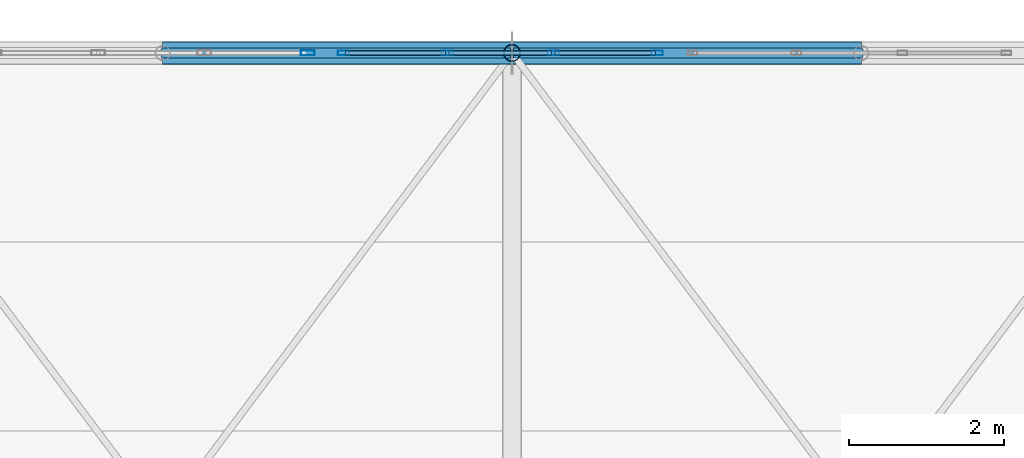
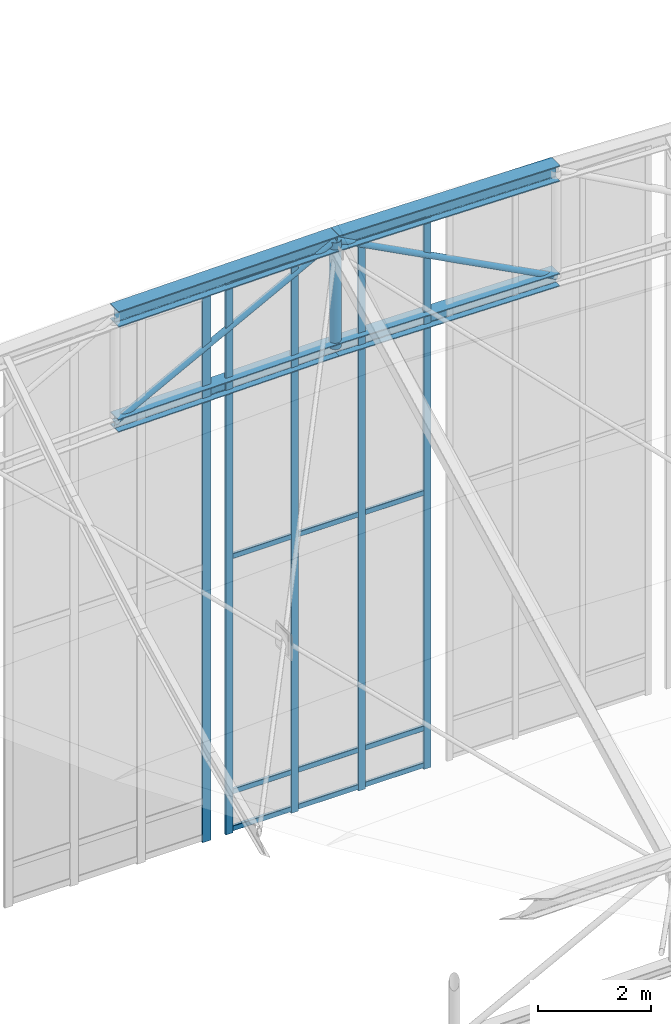
# One storey, part 193 of 262: 24 members, 2 elements without a shape of their own.
"""IFC4 building model written with IfcOpenShell, lengths in metres."""

from ifc_helpers import new_model, si_unit, derived_unit, direction, frame, origin, origin_2d, place, context, subcontext, project, spatial, hollow_rectangle, hollow_circle, i_section, extrude, material, layer, layer_set, material_profile, profile_set, type_object, element, aggregate, save


model = new_model("IFC4")

# Units and contexts
model_context = context("Model", 3, precision=1e-05, world=origin(), true_north=direction((0.0, 1.0)))
body_context = subcontext(model_context, "Body", "Model", "MODEL_VIEW")
ifc_project = project(units=[si_unit("LENGTHUNIT", "METRE"), si_unit("AREAUNIT", "SQUARE_METRE"), si_unit("VOLUMEUNIT", "CUBIC_METRE"), si_unit("PLANEANGLEUNIT", "RADIAN"), si_unit("MASSUNIT", "GRAM", prefix="KILO"), derived_unit("THERMALTRANSMITTANCEUNIT", [(si_unit("POWERUNIT", "WATT"), 1), (si_unit("LENGTHUNIT", "METRE"), -2), (si_unit("THERMODYNAMICTEMPERATUREUNIT", "KELVIN"), -1)])], contexts=[model_context])

# Site, building, storey
site_placement = place(None, origin())
site = spatial("IfcSite", under=ifc_project, at=site_placement, CompositionType="ELEMENT")
building_placement = place(site_placement, origin())
building = spatial("IfcBuilding", under=site, at=building_placement, Name="Almenara Railside Exhibition Hall", CompositionType="ELEMENT")
storey_placement = place(building_placement, frame((0.0, 0.0, 21.699951171875)))
storey = spatial("IfcBuildingStorey", under=building, at=storey_placement, Name="RF", CompositionType="ELEMENT", Elevation=21.699951171875)

# Members
ifc_material_1 = material(Name="Structural steel S355JR", Category="steel")
ifc_material_profile_1 = material_profile(ifc_material_1, i_section(OverallWidth=0.280029296875, OverallDepth=0.280029296875, WebThickness=0.010498046875, FlangeThickness=0.01806640625, FilletRadius=0.02392578125, at=origin_2d()), Name="HEB 280")
ifc_profile_set_1 = profile_set([ifc_material_profile_1], Name="Structural steel S355JR")
member_type_1 = type_object("IfcMemberType", Name="Arched Gable Bottom Chord HEB 280 S355JR", PredefinedType="CHORD", material=ifc_profile_set_1)
for number, where, z_axis, x_axis, name in (
    (1, (34.5, 132.0, 8.739013671875), (0.999908030213, 0.0, 0.013562120635), (0.0, 1.0, 0.0), "MEM-BC-V1-07-05"),
    (2, (39.0, 132.0, 8.800048828125), (0.999908030213, 0.0, -0.013562120635), (0.0, 1.0, 0.0), "MEM-BC-V1-07-06"),
):
    element("IfcMember", number, at=place(storey_placement, frame(where, z_axis=z_axis, x_axis=x_axis)), inside=storey, type_object=member_type_1, Name=name, PredefinedType="CHORD", context=body_context, shape_type="SweptSolid", body=[
        extrude(i_section(OverallWidth=0.280029296875, OverallDepth=0.280029296875, WebThickness=0.010498046875, FlangeThickness=0.01806640625, FilletRadius=0.02392578125, at=origin_2d()), origin(), (0.0, 0.0, 1.0), 4.50048828125),
    ])
ifc_material_profile_2 = material_profile(ifc_material_1, i_section(OverallWidth=0.300048828125, OverallDepth=0.340087890625, WebThickness=0.011962890625, FlangeThickness=0.021484375, FilletRadius=0.027099609375, at=origin_2d()), Name="HEB 340")
ifc_profile_set_2 = profile_set([ifc_material_profile_2], Name="Structural steel S355JR")
member_type_2 = type_object("IfcMemberType", Name="Arched Gable Top Chord HEB 340 S355JR", PredefinedType="CHORD", material=ifc_profile_set_2)
for number, where, z_axis, x_axis, name in (
    (3, (34.5, 132.0, 11.038818359375), (0.999907293085, 0.0, 0.01361635908), (0.0, 1.0, 0.0), "MEM-TC-V1-07-05"),
    (4, (39.0, 132.0, 11.10009765625), (0.999907293085, 0.0, -0.01361635908), (0.0, 1.0, 0.0), "MEM-TC-V1-07-06"),
):
    element("IfcMember", number, at=place(storey_placement, frame(where, z_axis=z_axis, x_axis=x_axis)), inside=storey, type_object=member_type_2, Name=name, PredefinedType="CHORD", context=body_context, shape_type="SweptSolid", body=[
        extrude(i_section(OverallWidth=0.300048828125, OverallDepth=0.340087890625, WebThickness=0.011962890625, FlangeThickness=0.021484375, FilletRadius=0.027099609375, at=origin_2d()), origin(), (0.0, 0.0, 1.0), 4.50048828125),
    ])

# Curtain wall, members
ifc_material_2 = material(Name="Bronze-anodised aluminium and low-E double glazing", Category="aluminium")
ifc_layer = layer(ifc_material_2, 0.179931640625, Name="Bronze-anodised aluminium and low-E double glazing")
ifc_layer_set = layer_set([ifc_layer], Name="Bronze-anodised aluminium and low-E double glazing")
curtain_wall_type = type_object("IfcCurtainWallType", Name="Scroll Gable Tall Curtain Wall 3800x5400", PredefinedType="NOTDEFINED", material=ifc_layer_set)
curtain_wall_1_placement = place(storey_placement, origin())
curtain_wall_1 = element("IfcCurtainWall", 5, at=curtain_wall_1_placement, inside=storey, type_object=curtain_wall_type, Name="Curtain wall CW-G1-210", PredefinedType="NOTDEFINED")
ifc_material_3 = material(Name="Bronze-anodised aluminium", Category="aluminium")
ifc_material_profile_3 = material_profile(ifc_material_3, hollow_rectangle(XDim=0.06005859375, YDim=0.14990234375, WallThickness=0.00341796875, InnerFilletRadius=0.00341796875, OuterFilletRadius=0.007080078125, at=origin_2d()), Name="ALU-MUL 60x150x3.5")
ifc_profile_set_3 = profile_set([ifc_material_profile_3], Name="Bronze-anodised aluminium")
member_type_3 = type_object("IfcMemberType", Name="Curtain Wall Mullion 60x150x3.5", PredefinedType="MULLION", material=ifc_profile_set_3)
member_1_placement = place(storey_placement, frame((36.830078125, 132.0, -0.93505859375), z_axis=(0.0, 0.0, 1.0), x_axis=(0.0, 1.0, 0.0)))
member_1 = element("IfcMember", 6, at=member_1_placement, type_object=member_type_3, Name="CW-G1-210 mullion 1", PredefinedType="MULLION", context=body_context, shape_type="SweptSolid", body=[
    extrude(hollow_rectangle(XDim=0.06005859375, YDim=0.14990234375, WallThickness=0.00341796875, InnerFilletRadius=0.00341796875, OuterFilletRadius=0.007080078125, at=origin_2d()), origin(), (0.0, 0.0, 1.0), 11.885009765625),
])
member_2_placement = place(storey_placement, frame((38.166748046875, 132.0, -0.93505859375), z_axis=(0.0, 0.0, 1.0), x_axis=(0.0, 1.0, 0.0)))
member_2 = element("IfcMember", 7, at=member_2_placement, type_object=member_type_3, Name="CW-G1-210 mullion 2", PredefinedType="MULLION", context=body_context, shape_type="SweptSolid", body=[
    extrude(hollow_rectangle(XDim=0.06005859375, YDim=0.14990234375, WallThickness=0.00341796875, InnerFilletRadius=0.00341796875, OuterFilletRadius=0.007080078125, at=origin_2d()), origin(), (0.0, 0.0, 1.0), 11.885009765625),
])
member_3_placement = place(storey_placement, frame((39.533447265625, 132.0, -0.93505859375), z_axis=(0.0, 0.0, 1.0), x_axis=(0.0, 1.0, 0.0)))
member_3 = element("IfcMember", 8, at=member_3_placement, type_object=member_type_3, Name="CW-G1-210 mullion 3", PredefinedType="MULLION", context=body_context, shape_type="SweptSolid", body=[
    extrude(hollow_rectangle(XDim=0.06005859375, YDim=0.14990234375, WallThickness=0.00341796875, InnerFilletRadius=0.00341796875, OuterFilletRadius=0.007080078125, at=origin_2d()), origin(), (0.0, 0.0, 1.0), 11.885009765625),
])
member_4_placement = place(storey_placement, frame((40.8701171875, 132.0, -0.93505859375), z_axis=(0.0, 0.0, 1.0), x_axis=(0.0, 1.0, 0.0)))
member_4 = element("IfcMember", 9, at=member_4_placement, type_object=member_type_3, Name="CW-G1-210 mullion 4", PredefinedType="MULLION", context=body_context, shape_type="SweptSolid", body=[
    extrude(hollow_rectangle(XDim=0.06005859375, YDim=0.14990234375, WallThickness=0.00341796875, InnerFilletRadius=0.00341796875, OuterFilletRadius=0.007080078125, at=origin_2d()), origin(), (0.0, 0.0, 1.0), 11.885009765625),
])

# Curtain wall, member
curtain_wall_2_placement = place(storey_placement, origin())
curtain_wall_2 = element("IfcCurtainWall", 10, at=curtain_wall_2_placement, inside=storey, type_object=curtain_wall_type, Name="Curtain wall CW-G1-209", PredefinedType="NOTDEFINED")
ifc_material_profile_4 = material_profile(ifc_material_3, hollow_rectangle(XDim=0.06494140625, YDim=0.179931640625, WallThickness=0.00390625, InnerFilletRadius=0.00390625, OuterFilletRadius=0.008056640625, at=origin_2d()), Name="ALU-MUL 65x180x4")
ifc_profile_set_4 = profile_set([ifc_material_profile_4], Name="Bronze-anodised aluminium")
member_type_4 = type_object("IfcMemberType", Name="Curtain Wall Mullion 65x180x4", PredefinedType="MULLION", material=ifc_profile_set_4)
member_5_placement = place(storey_placement, frame((36.367431640625, 132.0, -0.93505859375), z_axis=(0.0, 0.0, 1.0), x_axis=(0.0, 1.0, 0.0)))
member_5 = element("IfcMember", 11, at=member_5_placement, type_object=member_type_4, Name="CW-G1-209 mullion 4", PredefinedType="MULLION", context=body_context, shape_type="SweptSolid", body=[
    extrude(hollow_rectangle(XDim=0.06494140625, YDim=0.179931640625, WallThickness=0.00390625, InnerFilletRadius=0.00390625, OuterFilletRadius=0.008056640625, at=origin_2d()), origin(), (0.0, 0.0, 1.0), 11.815185546875),
])
aggregate(curtain_wall_2, [member_5])

# Member
ifc_material_profile_5 = material_profile(ifc_material_3, hollow_rectangle(XDim=0.06005859375, YDim=0.110107421875, WallThickness=0.0029296875, InnerFilletRadius=0.0029296875, OuterFilletRadius=0.006103515625, at=origin_2d()), Name="ALU-TRN 60x110x3")
ifc_profile_set_5 = profile_set([ifc_material_profile_5], Name="Bronze-anodised aluminium")
member_type_5 = type_object("IfcMemberType", Name="Curtain Wall Transom 60x110x3", PredefinedType="USERDEFINED", material=ifc_profile_set_5)
member_6_placement = place(storey_placement, frame((36.85205078125, 132.0, -0.844970703125), z_axis=(1.0, 0.0, 0.0), x_axis=(0.0, 1.0, 0.0)))
member_6 = element("IfcMember", 12, at=member_6_placement, type_object=member_type_5, Name="CW-G1-210 transom 1.1", ObjectType="TRANSOM", PredefinedType="USERDEFINED", context=body_context, shape_type="SweptSolid", body=[
    extrude(hollow_rectangle(XDim=0.06005859375, YDim=0.110107421875, WallThickness=0.0029296875, InnerFilletRadius=0.0029296875, OuterFilletRadius=0.006103515625, at=origin_2d()), origin(), (0.0, 0.0, 1.0), 1.292724609375),
])

member_7_placement = place(storey_placement, frame((36.85205078125, 132.0, -0.050048828125), z_axis=(1.0, 0.0, 0.0), x_axis=(0.0, 1.0, 0.0)))
member_7 = element("IfcMember", 13, at=member_7_placement, type_object=member_type_5, Name="CW-G1-210 transom 1.2", ObjectType="TRANSOM", PredefinedType="USERDEFINED", context=body_context, shape_type="SweptSolid", body=[
    extrude(hollow_rectangle(XDim=0.06005859375, YDim=0.110107421875, WallThickness=0.0029296875, InnerFilletRadius=0.0029296875, OuterFilletRadius=0.006103515625, at=origin_2d()), origin(), (0.0, 0.0, 1.0), 1.292724609375),
])

member_8_placement = place(storey_placement, frame((36.85205078125, 132.0, 5.025146484375), z_axis=(1.0, 0.0, 0.0), x_axis=(0.0, 1.0, 0.0)))
member_8 = element("IfcMember", 14, at=member_8_placement, type_object=member_type_5, Name="CW-G1-210 transom 1.3", ObjectType="TRANSOM", PredefinedType="USERDEFINED", context=body_context, shape_type="SweptSolid", body=[
    extrude(hollow_rectangle(XDim=0.06005859375, YDim=0.110107421875, WallThickness=0.0029296875, InnerFilletRadius=0.0029296875, OuterFilletRadius=0.006103515625, at=origin_2d()), origin(), (0.0, 0.0, 1.0), 1.292724609375),
])

member_9_placement = place(storey_placement, frame((36.85205078125, 132.0, 10.89501953125), z_axis=(1.0, 0.0, 0.0), x_axis=(0.0, 1.0, 0.0)))
member_9 = element("IfcMember", 15, at=member_9_placement, type_object=member_type_5, Name="CW-G1-210 transom 1.4", ObjectType="TRANSOM", PredefinedType="USERDEFINED", context=body_context, shape_type="SweptSolid", body=[
    extrude(hollow_rectangle(XDim=0.06005859375, YDim=0.110107421875, WallThickness=0.0029296875, InnerFilletRadius=0.0029296875, OuterFilletRadius=0.006103515625, at=origin_2d()), origin(), (0.0, 0.0, 1.0), 1.292724609375),
])

member_10_placement = place(storey_placement, frame((38.188720703125, 132.0, -0.844970703125), z_axis=(1.0, 0.0, 0.0), x_axis=(0.0, 1.0, 0.0)))
member_10 = element("IfcMember", 16, at=member_10_placement, type_object=member_type_5, Name="CW-G1-210 transom 2.1", ObjectType="TRANSOM", PredefinedType="USERDEFINED", context=body_context, shape_type="SweptSolid", body=[
    extrude(hollow_rectangle(XDim=0.06005859375, YDim=0.110107421875, WallThickness=0.0029296875, InnerFilletRadius=0.0029296875, OuterFilletRadius=0.006103515625, at=origin_2d()), origin(), (0.0, 0.0, 1.0), 1.322509765625),
])

member_11_placement = place(storey_placement, frame((38.188720703125, 132.0, -0.050048828125), z_axis=(1.0, 0.0, 0.0), x_axis=(0.0, 1.0, 0.0)))
member_11 = element("IfcMember", 17, at=member_11_placement, type_object=member_type_5, Name="CW-G1-210 transom 2.2", ObjectType="TRANSOM", PredefinedType="USERDEFINED", context=body_context, shape_type="SweptSolid", body=[
    extrude(hollow_rectangle(XDim=0.06005859375, YDim=0.110107421875, WallThickness=0.0029296875, InnerFilletRadius=0.0029296875, OuterFilletRadius=0.006103515625, at=origin_2d()), origin(), (0.0, 0.0, 1.0), 1.322509765625),
])

member_12_placement = place(storey_placement, frame((38.188720703125, 132.0, 5.025146484375), z_axis=(1.0, 0.0, 0.0), x_axis=(0.0, 1.0, 0.0)))
member_12 = element("IfcMember", 18, at=member_12_placement, type_object=member_type_5, Name="CW-G1-210 transom 2.3", ObjectType="TRANSOM", PredefinedType="USERDEFINED", context=body_context, shape_type="SweptSolid", body=[
    extrude(hollow_rectangle(XDim=0.06005859375, YDim=0.110107421875, WallThickness=0.0029296875, InnerFilletRadius=0.0029296875, OuterFilletRadius=0.006103515625, at=origin_2d()), origin(), (0.0, 0.0, 1.0), 1.322509765625),
])

member_13_placement = place(storey_placement, frame((38.188720703125, 132.0, 10.89501953125), z_axis=(1.0, 0.0, 0.0), x_axis=(0.0, 1.0, 0.0)))
member_13 = element("IfcMember", 19, at=member_13_placement, type_object=member_type_5, Name="CW-G1-210 transom 2.4", ObjectType="TRANSOM", PredefinedType="USERDEFINED", context=body_context, shape_type="SweptSolid", body=[
    extrude(hollow_rectangle(XDim=0.06005859375, YDim=0.110107421875, WallThickness=0.0029296875, InnerFilletRadius=0.0029296875, OuterFilletRadius=0.006103515625, at=origin_2d()), origin(), (0.0, 0.0, 1.0), 1.322509765625),
])

member_14_placement = place(storey_placement, frame((39.555419921875, 132.0, -0.844970703125), z_axis=(1.0, 0.0, 0.0), x_axis=(0.0, 1.0, 0.0)))
member_14 = element("IfcMember", 20, at=member_14_placement, type_object=member_type_5, Name="CW-G1-210 transom 3.1", ObjectType="TRANSOM", PredefinedType="USERDEFINED", context=body_context, shape_type="SweptSolid", body=[
    extrude(hollow_rectangle(XDim=0.06005859375, YDim=0.110107421875, WallThickness=0.0029296875, InnerFilletRadius=0.0029296875, OuterFilletRadius=0.006103515625, at=origin_2d()), origin(), (0.0, 0.0, 1.0), 1.29248046875),
])

member_15_placement = place(storey_placement, frame((39.555419921875, 132.0, -0.050048828125), z_axis=(1.0, 0.0, 0.0), x_axis=(0.0, 1.0, 0.0)))
member_15 = element("IfcMember", 21, at=member_15_placement, type_object=member_type_5, Name="CW-G1-210 transom 3.2", ObjectType="TRANSOM", PredefinedType="USERDEFINED", context=body_context, shape_type="SweptSolid", body=[
    extrude(hollow_rectangle(XDim=0.06005859375, YDim=0.110107421875, WallThickness=0.0029296875, InnerFilletRadius=0.0029296875, OuterFilletRadius=0.006103515625, at=origin_2d()), origin(), (0.0, 0.0, 1.0), 1.29248046875),
])

member_16_placement = place(storey_placement, frame((39.555419921875, 132.0, 5.025146484375), z_axis=(1.0, 0.0, 0.0), x_axis=(0.0, 1.0, 0.0)))
member_16 = element("IfcMember", 22, at=member_16_placement, type_object=member_type_5, Name="CW-G1-210 transom 3.3", ObjectType="TRANSOM", PredefinedType="USERDEFINED", context=body_context, shape_type="SweptSolid", body=[
    extrude(hollow_rectangle(XDim=0.06005859375, YDim=0.110107421875, WallThickness=0.0029296875, InnerFilletRadius=0.0029296875, OuterFilletRadius=0.006103515625, at=origin_2d()), origin(), (0.0, 0.0, 1.0), 1.29248046875),
])

member_17_placement = place(storey_placement, frame((39.555419921875, 132.0, 10.89501953125), z_axis=(1.0, 0.0, 0.0), x_axis=(0.0, 1.0, 0.0)))
member_17 = element("IfcMember", 23, at=member_17_placement, type_object=member_type_5, Name="CW-G1-210 transom 3.4", ObjectType="TRANSOM", PredefinedType="USERDEFINED", context=body_context, shape_type="SweptSolid", body=[
    extrude(hollow_rectangle(XDim=0.06005859375, YDim=0.110107421875, WallThickness=0.0029296875, InnerFilletRadius=0.0029296875, OuterFilletRadius=0.006103515625, at=origin_2d()), origin(), (0.0, 0.0, 1.0), 1.29248046875),
])

aggregate(curtain_wall_1, [member_1, member_2, member_3, member_4, member_6, member_7, member_8, member_9, member_10, member_11, member_12, member_13, member_14, member_15, member_16, member_17])

# Members
ifc_material_profile_6 = material_profile(ifc_material_1, hollow_circle(Radius=0.0634765625, WallThickness=0.00439453125, at=origin_2d()), Name="CHS 127.0x4.5")
ifc_profile_set_6 = profile_set([ifc_material_profile_6], Name="Structural steel S355JR")
member_type_6 = type_object("IfcMemberType", Name="Truss Crown Diagonal CHS 127.0x4.5 S355JR", PredefinedType="BRACE", material=ifc_profile_set_6)
for number, where, z_axis, x_axis, name in (
    (24, (34.5, 132.0, 8.739013671875), (0.885512555589, 0.0, 0.464615447326), (0.0, 1.0, 0.0), "MEM-TD-V1-07-05"),
    (25, (39.0, 132.0, 11.10009765625), (0.885512555589, 0.0, -0.464615447326), (0.0, 1.0, 0.0), "MEM-TD-V1-07-06"),
):
    element("IfcMember", number, at=place(storey_placement, frame(where, z_axis=z_axis, x_axis=x_axis)), inside=storey, type_object=member_type_6, Name=name, PredefinedType="BRACE", context=body_context, shape_type="SweptSolid", body=[
        extrude(hollow_circle(Radius=0.0634765625, WallThickness=0.00439453125, at=origin_2d()), origin(), (0.0, 0.0, 1.0), 5.081787109375),
    ])
ifc_material_profile_7 = material_profile(ifc_material_1, hollow_circle(Radius=0.109619140625, WallThickness=0.008056640625, at=origin_2d()), Name="CHS 219.1x8")
ifc_profile_set_7 = profile_set([ifc_material_profile_7], Name="Structural steel S355JR")
member_type_7 = type_object("IfcMemberType", Name="Truss Primary Vertical Strut CHS 219.1x8 S355JR", PredefinedType="BRACE", material=ifc_profile_set_7)
member_18_placement = place(storey_placement, frame((39.0, 132.0, 8.800048828125), z_axis=(0.0, 0.0, 1.0), x_axis=(1.0, 0.0, 0.0)))
element("IfcMember", 26, at=member_18_placement, inside=storey, type_object=member_type_7, Name="MEM-TV-V1-07-06", PredefinedType="BRACE", context=body_context, shape_type="SweptSolid", body=[
    extrude(hollow_circle(Radius=0.109619140625, WallThickness=0.008056640625, at=origin_2d()), origin(), (0.0, 0.0, 1.0), 2.300048828125),
])

save(model, "model.ifc")
